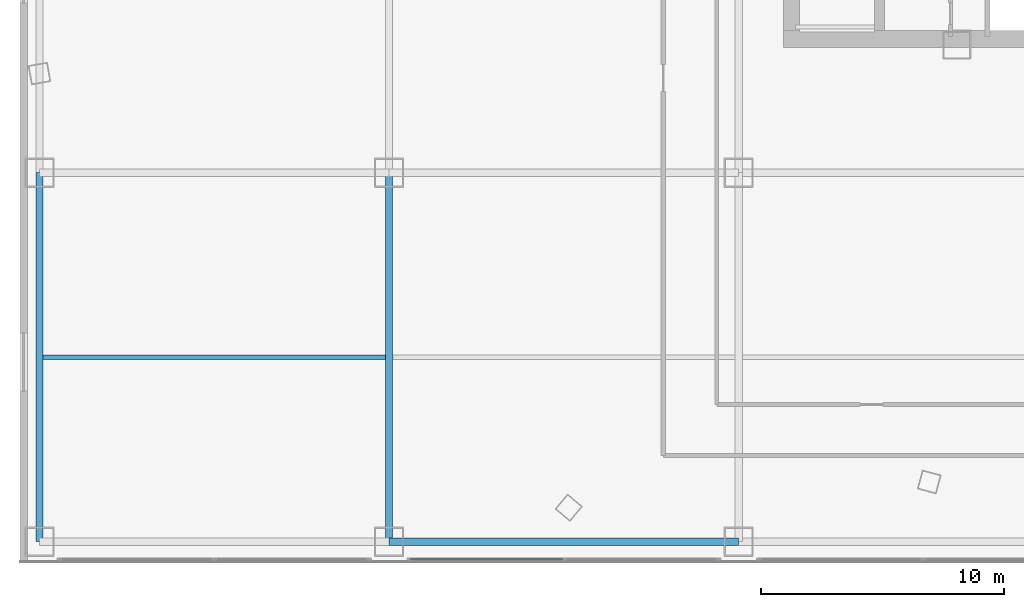
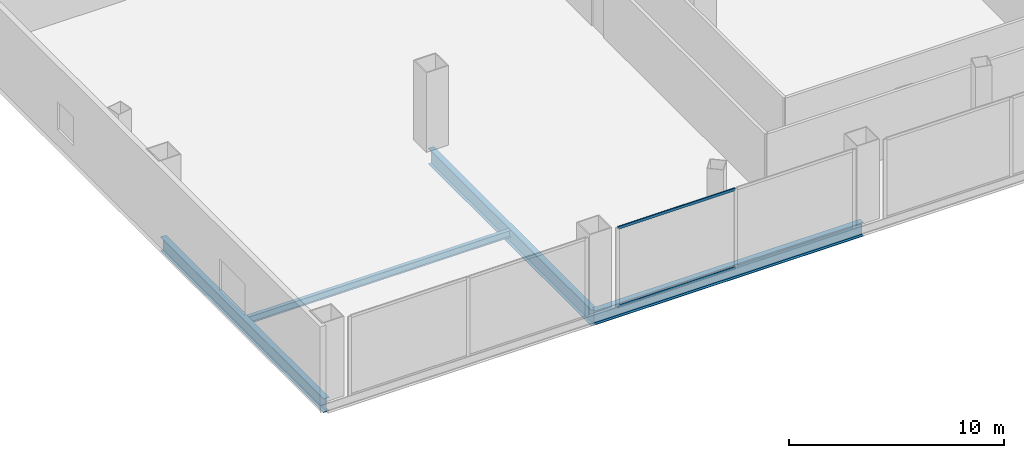
# One storey, part 4 of 40: 4 beams, 2 members, 1 element without a shape of its own.
"""IFC4 building model written with IfcOpenShell, lengths in metres."""

from ifc_helpers import new_model, si_unit, direction, frame, origin, origin_2d, place, context, subcontext, project, spatial, hollow_rectangle, i_section, extrude, source, transform, mapped, material, layer, layer_set, material_profile, profile_set, type_object, element, aggregate, save


model = new_model("IFC4")

# Units and contexts
model_context = context("Model", 3, precision=1e-05, world=origin(), true_north=direction((0.0, 1.0)))
body_context = subcontext(model_context, "Body", "Model", "MODEL_VIEW")
ifc_project = project(units=[si_unit("LENGTHUNIT", "METRE"), si_unit("AREAUNIT", "SQUARE_METRE"), si_unit("VOLUMEUNIT", "CUBIC_METRE"), si_unit("PLANEANGLEUNIT", "RADIAN"), si_unit("MASSUNIT", "GRAM", prefix="KILO"), si_unit("THERMODYNAMICTEMPERATUREUNIT", "KELVIN"), si_unit("POWERUNIT", "WATT")], contexts=[model_context])

# Site, building, storey
site_placement = place(None, origin())
site = spatial("IfcSite", under=ifc_project, at=site_placement, CompositionType="ELEMENT")
building_placement = place(site_placement, origin())
building = spatial("IfcBuilding", under=site, at=building_placement, Name="Yunzhuo Pagoda Commons", CompositionType="ELEMENT")
storey_placement = place(building_placement, frame((0.0, 0.0, 14.39990234375)))
storey = spatial("IfcBuildingStorey", under=building, at=storey_placement, Name="L04", CompositionType="ELEMENT", Elevation=14.39990234375)

# Beams
ifc_material_1 = material(Name="Structural steel Q355B", Category="steel")
ifc_material_profile_1 = material_profile(ifc_material_1, i_section(OverallWidth=0.300048828125, OverallDepth=0.800048828125, WebThickness=0.013916015625, FlangeThickness=0.02587890625, at=origin_2d()), Name="Structural steel Q355B")
ifc_profile_set_1 = profile_set([ifc_material_profile_1], Name="Structural steel Q355B")
beam_type_1 = type_object("IfcBeamType", Name="B-PD2 Beam HN 800x300x14x26", PredefinedType="BEAM", material=ifc_profile_set_1)
shared_shape_1 = source(origin(), body_context, "Body", "SweptSolid", [
    extrude(i_section(OverallWidth=0.300048828125, OverallDepth=0.800048828125, WebThickness=0.013916015625, FlangeThickness=0.02587890625, at=origin_2d()), origin(), (0.0, 0.0, 1.0), 14.400146484375),
])
beam_1_placement = place(storey_placement, frame((19.199951171875, 6.800048828125, -0.679931640625), z_axis=(1.0, 0.0, 0.0), x_axis=(0.0, 1.0, 0.0)))
element("IfcBeam", 1, at=beam_1_placement, inside=storey, type_object=beam_type_1, Name="L04 podium girder EW 1.2", PredefinedType="BEAM", context=body_context, shape_type="MappedRepresentation", body=[
    mapped(shared_shape_1, transform((0.0, 0.0, 0.0), scale=1.0)),
])
shared_shape_2 = source(origin(), body_context, "Body", "SweptSolid", [
    extrude(i_section(OverallWidth=0.300048828125, OverallDepth=0.800048828125, WebThickness=0.013916015625, FlangeThickness=0.02587890625, at=origin_2d()), origin(), (0.0, 0.0, 1.0), 15.199951171875),
])
beam_2_placement = place(storey_placement, frame((4.800048828125, 6.800048828125, -0.679931640625), z_axis=(0.0, 1.0, 0.0), x_axis=(-1.0, 0.0, 0.0)))
element("IfcBeam", 2, at=beam_2_placement, inside=storey, type_object=beam_type_1, Name="L04 podium girder NS 1.1", PredefinedType="BEAM", context=body_context, shape_type="MappedRepresentation", body=[
    mapped(shared_shape_2, transform((0.0, 0.0, 0.0), scale=1.0)),
])
ifc_material_profile_2 = material_profile(ifc_material_1, i_section(OverallWidth=0.199951171875, OverallDepth=0.39990234375, WebThickness=0.008056640625, FlangeThickness=0.012939453125, at=origin_2d()), Name="Structural steel Q355B")
ifc_profile_set_2 = profile_set([ifc_material_profile_2], Name="Structural steel Q355B")
beam_type_2 = type_object("IfcBeamType", Name="B-JS1 Joist HN 400x200x8x13", PredefinedType="JOIST", material=ifc_profile_set_2)
shared_shape_3 = source(origin(), body_context, "Body", "SweptSolid", [
    extrude(i_section(OverallWidth=0.199951171875, OverallDepth=0.39990234375, WebThickness=0.008056640625, FlangeThickness=0.012939453125, at=origin_2d()), origin(), (0.0, 0.0, 1.0), 14.08984375),
])
beam_3_placement = place(storey_placement, frame((4.955078125, 14.39990234375, -0.47998046875), z_axis=(1.0, 0.0, 0.0), x_axis=(0.0, 1.0, 0.0)))
element("IfcBeam", 3, at=beam_3_placement, inside=storey, type_object=beam_type_2, Name="L04 podium composite joist 1.1", PredefinedType="JOIST", context=body_context, shape_type="MappedRepresentation", body=[
    mapped(shared_shape_3, transform((0.0, 0.0, 0.0), scale=1.0)),
])
ifc_material_profile_3 = material_profile(ifc_material_1, i_section(OverallWidth=0.300048828125, OverallDepth=0.89990234375, WebThickness=0.01611328125, FlangeThickness=0.028076171875, at=origin_2d()), Name="Structural steel Q355B")
ifc_profile_set_3 = profile_set([ifc_material_profile_3], Name="Structural steel Q355B")
beam_type_3 = type_object("IfcBeamType", Name="B-PD1 Beam HN 900x300x16x28", PredefinedType="BEAM", material=ifc_profile_set_3)
shared_shape_4 = source(origin(), body_context, "Body", "SweptSolid", [
    extrude(i_section(OverallWidth=0.300048828125, OverallDepth=0.89990234375, WebThickness=0.01611328125, FlangeThickness=0.028076171875, at=origin_2d()), origin(), (0.0, 0.0, 1.0), 15.199951171875),
])
beam_4_placement = place(storey_placement, frame((19.199951171875, 6.800048828125, -0.72998046875), z_axis=(0.0, 1.0, 0.0), x_axis=(-1.0, 0.0, 0.0)))
element("IfcBeam", 4, at=beam_4_placement, inside=storey, type_object=beam_type_3, Name="L04 podium girder NS 2.1", PredefinedType="BEAM", context=body_context, shape_type="MappedRepresentation", body=[
    mapped(shared_shape_4, transform((0.0, 0.0, 0.0), scale=1.0)),
])

# Curtain wall, members
ifc_material_2 = material(Name="Anodized aluminium 6063-T6", Category="aluminium")
ifc_layer = layer(ifc_material_2, 0.179931640625)
ifc_layer_set = layer_set([ifc_layer], Name="Anodized aluminium 6063-T6")
curtain_wall_type = type_object("IfcCurtainWallType", Name="CW-POD Waterfront Podium Curtain Wall", PredefinedType="NOTDEFINED", material=ifc_layer_set)
curtain_wall_placement = place(storey_placement, origin())
curtain_wall = element("IfcCurtainWall", 5, at=curtain_wall_placement, inside=storey, type_object=curtain_wall_type, Name="L04 curtain wall CW-L04-S2", PredefinedType="NOTDEFINED")
ifc_material_profile_4 = material_profile(ifc_material_2, hollow_rectangle(XDim=0.06005859375, YDim=0.14990234375, WallThickness=0.00390625, at=origin_2d()), Name="Anodized aluminium 6063-T6")
ifc_profile_set_4 = profile_set([ifc_material_profile_4], Name="Anodized aluminium 6063-T6")
member_type = type_object("IfcMemberType", Name="CW-POD-T Transom RHS 150x60x4", PredefinedType="USERDEFINED", material=ifc_profile_set_4)
shared_shape_5 = source(origin(), body_context, "Body", "SweptSolid", [
    extrude(hollow_rectangle(XDim=0.06005859375, YDim=0.14990234375, WallThickness=0.00390625, at=origin_2d()), origin(), (0.0, 0.0, 1.0), 6.302490234375),
])
member_1_placement = place(storey_placement, frame((20.06494140625, 6.080078125, 0.030029296875), z_axis=(1.0, 0.0, 0.0), x_axis=(0.0, 1.0, 0.0)))
member_1 = element("IfcMember", 6, at=member_1_placement, type_object=member_type, Name="CW transom 1.1", ObjectType="TRANSOM", PredefinedType="USERDEFINED", context=body_context, shape_type="MappedRepresentation", body=[
    mapped(shared_shape_5, transform((0.0, 0.0, 0.0), scale=1.0)),
])
member_2_placement = place(storey_placement, frame((20.06494140625, 6.080078125, 4.489990234375), z_axis=(1.0, 0.0, 0.0), x_axis=(0.0, 1.0, 0.0)))
member_2 = element("IfcMember", 7, at=member_2_placement, type_object=member_type, Name="CW transom 1.2", ObjectType="TRANSOM", PredefinedType="USERDEFINED", context=body_context, shape_type="MappedRepresentation", body=[
    mapped(shared_shape_5, transform((0.0, 0.0, 0.0), scale=1.0)),
])
aggregate(curtain_wall, [member_1, member_2])

save(model, "model.ifc")
